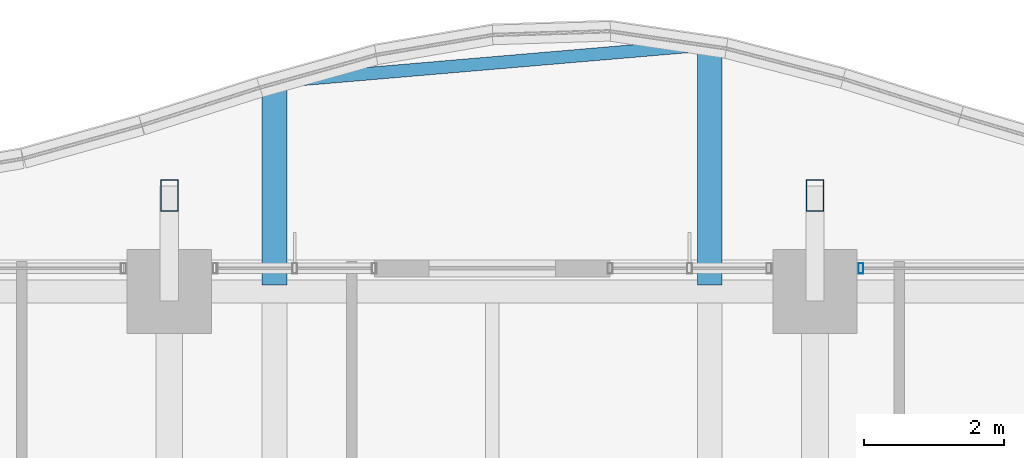
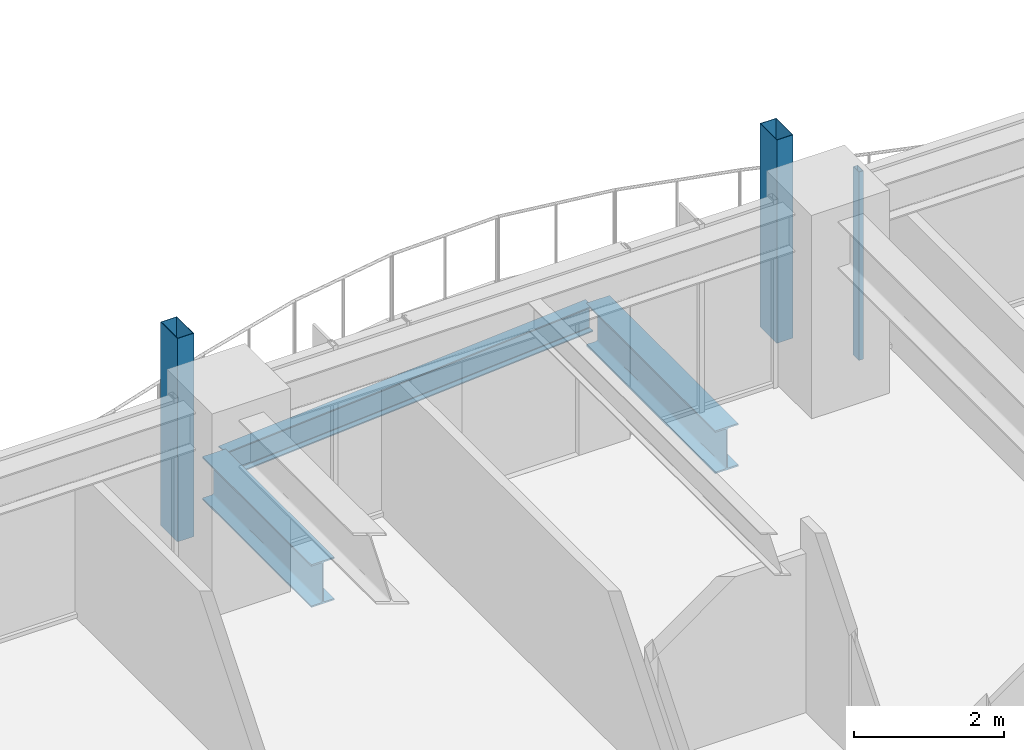
# One storey, part 21 of 38: 3 beams, 3 members, 1 element without a shape of its own.
"""IFC4 building model written with IfcOpenShell, lengths in metres."""

from ifc_helpers import new_model, si_unit, direction, frame, origin, origin_2d, place, context, subcontext, project, spatial, hollow_rectangle, i_section, extrude, material, material_profile, profile_set, type_object, element, aggregate, save


model = new_model("IFC4")

# Units and contexts
model_context = context("Model", 3, precision=1e-05, world=origin(), true_north=direction((0.0, 1.0)))
body_context = subcontext(model_context, "Body", "Model", "MODEL_VIEW")
ifc_project = project(units=[si_unit("LENGTHUNIT", "METRE"), si_unit("AREAUNIT", "SQUARE_METRE"), si_unit("VOLUMEUNIT", "CUBIC_METRE"), si_unit("PLANEANGLEUNIT", "RADIAN"), si_unit("MASSUNIT", "GRAM", prefix="KILO")], contexts=[model_context])

# Site, building, storey
site_placement = place(None, origin())
site = spatial("IfcSite", under=ifc_project, at=site_placement, CompositionType="ELEMENT")
building_placement = place(site_placement, origin())
building = spatial("IfcBuilding", under=site, at=building_placement, Name="Kolvaren Belvedere", CompositionType="ELEMENT")
storey_placement = place(building_placement, frame((0.0, 0.0, 50.199951171875)))
storey = spatial("IfcBuildingStorey", under=building, at=storey_placement, Name="L14", CompositionType="ELEMENT", Elevation=50.199951171875)

# Beams
ifc_material_1 = material(Name="Structural steel ASTM A992 Grade 50", Category="steel")
ifc_material_profile_1 = material_profile(ifc_material_1, i_section(OverallWidth=0.35498046875, OverallDepth=0.696044921875, WebThickness=0.015380859375, FlangeThickness=0.02490234375, FilletRadius=0.02197265625, at=origin_2d()), Name="W27X146")
ifc_profile_set_1 = profile_set([ifc_material_profile_1], Name="Structural steel ASTM A992 Grade 50")
beam_type_1 = type_object("IfcBeamType", Name="BM-CANT-BAL", PredefinedType="BEAM", material=ifc_profile_set_1)
beam_1_placement = place(storey_placement, frame((-3.10009765625, 21.64501953125, -0.587890625), z_axis=(0.0, 1.0, 0.0), x_axis=(-1.0, 0.0, 0.0)))
element("IfcBeam", 1, at=beam_1_placement, inside=storey, type_object=beam_type_1, Name="L14 Planted Balcony Cantilever BAL-N-1", PredefinedType="BEAM", context=body_context, shape_type="SweptSolid", body=[
    extrude(i_section(OverallWidth=0.35498046875, OverallDepth=0.696044921875, WebThickness=0.015380859375, FlangeThickness=0.02490234375, FilletRadius=0.02197265625, at=origin_2d()), origin(), (0.0, 0.0, 1.0), 2.896484375),
])
beam_2_placement = place(storey_placement, frame((3.10009765625, 21.64501953125, -0.587890625), z_axis=(0.0, 1.0, 0.0), x_axis=(-1.0, 0.0, 0.0)))
element("IfcBeam", 2, at=beam_2_placement, inside=storey, type_object=beam_type_1, Name="L14 Planted Balcony Cantilever BAL-N-2", PredefinedType="BEAM", context=body_context, shape_type="SweptSolid", body=[
    extrude(i_section(OverallWidth=0.35498046875, OverallDepth=0.696044921875, WebThickness=0.015380859375, FlangeThickness=0.02490234375, FilletRadius=0.02197265625, at=origin_2d()), origin(), (0.0, 0.0, 1.0), 3.425537109375),
])
ifc_material_2 = material(Name="Structural steel ASTM A992 Grade 50", Category="steel")
ifc_material_profile_2 = material_profile(ifc_material_2, i_section(OverallWidth=0.180908203125, OverallDepth=0.4169921875, WebThickness=0.010986328125, FlangeThickness=0.018310546875, FilletRadius=0.013916015625, at=origin_2d()), Name="W16X57")
ifc_profile_set_2 = profile_set([ifc_material_profile_2], Name="Structural steel ASTM A992 Grade 50")
beam_type_2 = type_object("IfcBeamType", Name="BM-EDGE-W16X57", PredefinedType="BEAM", material=ifc_profile_set_2)
beam_3_placement = place(storey_placement, frame((-2.96044921875, 24.55322265625, -0.448486328125), z_axis=(0.996377148781, 0.08504456119, 0.0), x_axis=(-0.08504456119, 0.996377148781, 0.0)))
element("IfcBeam", 3, at=beam_3_placement, inside=storey, type_object=beam_type_2, Name="L14 Balcony Tip Header Beam BAL-N", PredefinedType="BEAM", context=body_context, shape_type="SweptSolid", body=[
    extrude(i_section(OverallWidth=0.180908203125, OverallDepth=0.4169921875, WebThickness=0.010986328125, FlangeThickness=0.018310546875, FilletRadius=0.013916015625, at=origin_2d()), origin(), (0.0, 0.0, 1.0), 5.9423828125),
])

# Curtain wall, member
ifc_material_3 = material(Name="Anodised pale-metal aluminium AA 6063-T6", Category="aluminium")
curtain_wall_type = type_object("IfcCurtainWallType", Name="CW-Z1-LOW", PredefinedType="NOTDEFINED", material=ifc_material_3)
curtain_wall_placement = place(storey_placement, origin())
curtain_wall = element("IfcCurtainWall", 4, at=curtain_wall_placement, inside=storey, type_object=curtain_wall_type, Name="L14 Unitised Curtain Wall FCW-L14-N2-B2", PredefinedType="NOTDEFINED")
ifc_material_4 = material(Name="Anodised pale-metal aluminium AA 6063-T6", Category="aluminium")
ifc_material_profile_3 = material_profile(ifc_material_4, hollow_rectangle(XDim=0.070068359375, YDim=0.14990234375, WallThickness=0.004150390625, at=origin_2d()), Name="ALU-MUL-150X70")
ifc_profile_set_3 = profile_set([ifc_material_profile_3], Name="Anodised pale-metal aluminium AA 6063-T6")
member_type_1 = type_object("IfcMemberType", Name="CW-MUL-150", PredefinedType="MULLION", material=ifc_profile_set_3)
member_placement = place(storey_placement, frame((5.2548828125, 21.8798828125, 0.0), z_axis=(0.0, 0.0, 1.0), x_axis=(1.0, 0.0, 0.0)))
member = element("IfcMember", 5, at=member_placement, type_object=member_type_1, Name="FCW-L14-N2-B2 Unitised Mullion 1", PredefinedType="MULLION", context=body_context, shape_type="SweptSolid", body=[
    extrude(hollow_rectangle(XDim=0.070068359375, YDim=0.14990234375, WallThickness=0.004150390625, at=origin_2d()), origin(), (0.0, 0.0, 1.0), 3.06005859375),
])
aggregate(curtain_wall, [member])

# Members
ifc_material_5 = material(Name="Anodised pale-metal aluminium AA 6063-T6", Category="aluminium")
ifc_material_profile_4 = material_profile(ifc_material_5, hollow_rectangle(XDim=0.25, YDim=0.449951171875, WallThickness=0.008544921875, at=origin_2d()), Name="ALU-PF-450X250")
ifc_profile_set_4 = profile_set([ifc_material_profile_4], Name="Anodised pale-metal aluminium AA 6063-T6")
member_type_2 = type_object("IfcMemberType", Name="PF-FRAME-450", PredefinedType="USERDEFINED", material=ifc_profile_set_4)
for number, where, z_axis, x_axis, name in (
    (6, (-4.60009765625, 22.919921875, 0.0), (0.0, 0.0, 1.0), (1.0, 0.0, 0.0), "L14 Outboard Picture-Frame Vertical N1"),
    (7, (4.60009765625, 22.919921875, 0.0), (0.0, 0.0, 1.0), (1.0, 0.0, 0.0), "L14 Outboard Picture-Frame Vertical N2"),
):
    element("IfcMember", number, at=place(storey_placement, frame(where, z_axis=z_axis, x_axis=x_axis)), inside=storey, type_object=member_type_2, Name=name, ObjectType="PICTURE FRAME FIN", PredefinedType="USERDEFINED", context=body_context, shape_type="SweptSolid", body=[
        extrude(hollow_rectangle(XDim=0.25, YDim=0.449951171875, WallThickness=0.008544921875, at=origin_2d()), origin(), (0.0, 0.0, 1.0), 3.300048828125),
    ])

save(model, "model.ifc")
